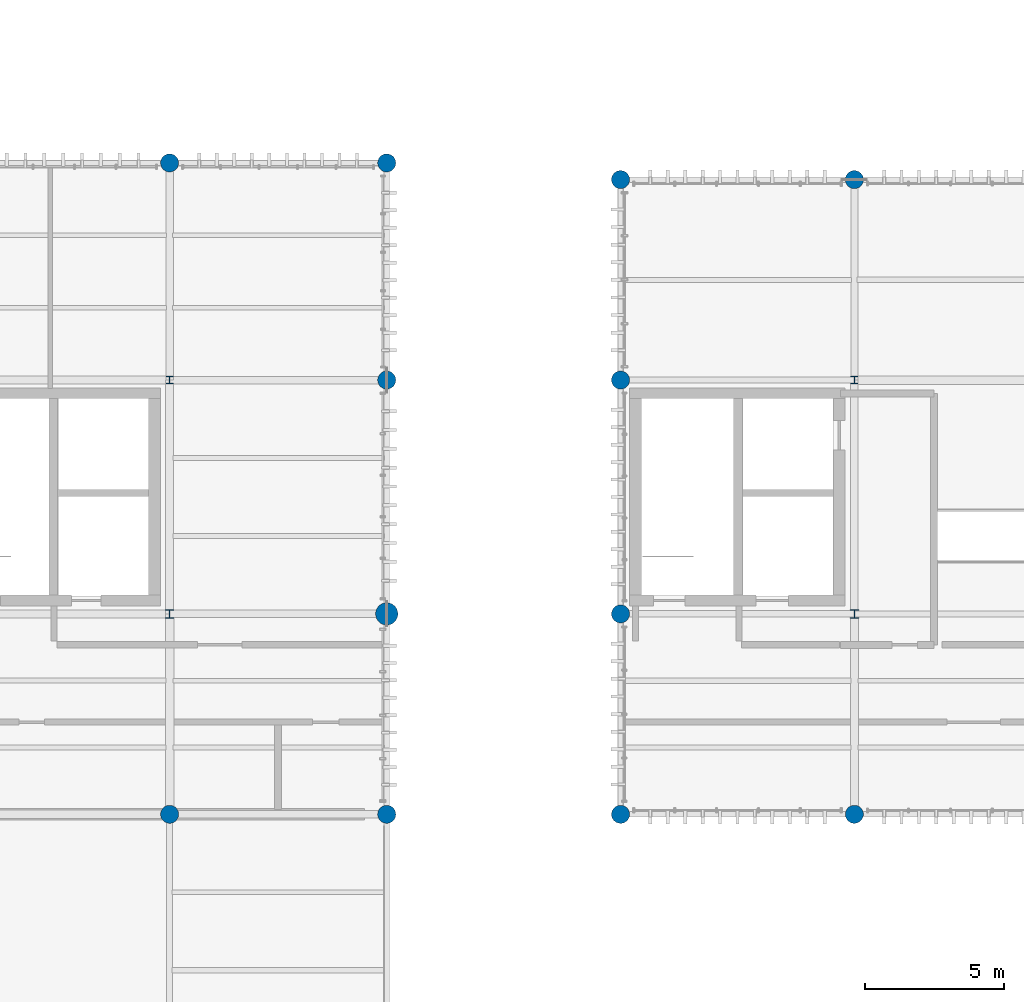
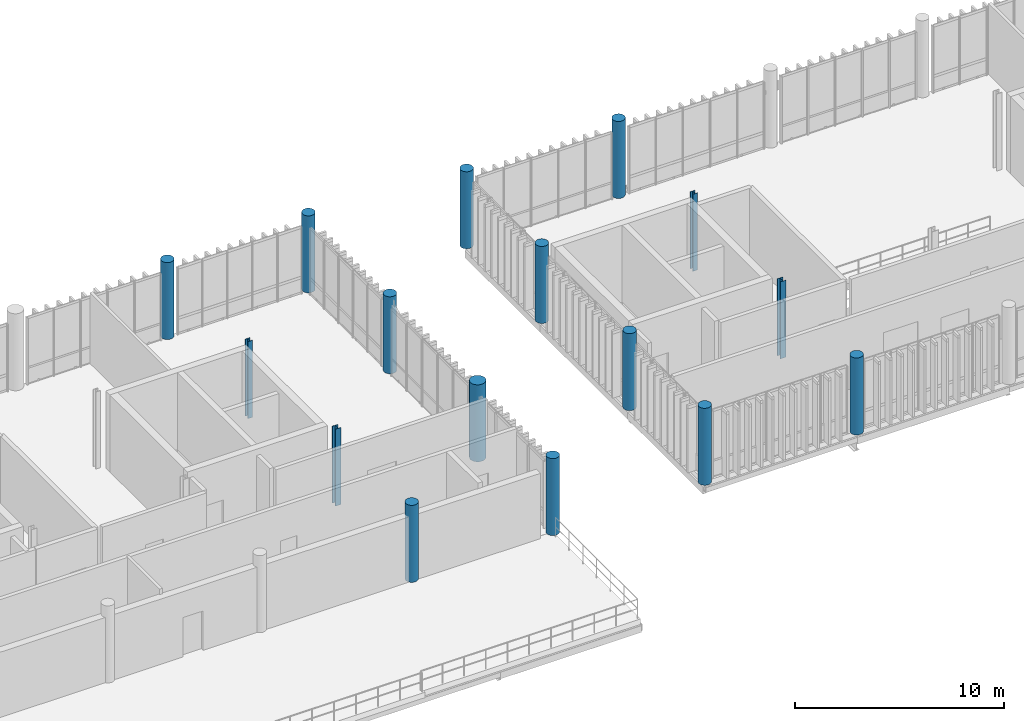
# One storey, part 2 of 66: 16 columns.
"""IFC4 building model written with IfcOpenShell, lengths in metres."""

from ifc_helpers import new_model, si_unit, direction, frame, origin_with_axes, origin_2d_with_axis, place, context, subcontext, project, spatial, circle, i_section, extrude, material, material_profile, profile_set, type_object, element, save


model = new_model("IFC4")

# Units and contexts
model_context = context("Model", 3, precision=1e-05, world=origin_with_axes(), true_north=direction((0.0, 1.0)))
body_context = subcontext(model_context, "Body", "Model", "MODEL_VIEW")
ifc_project = project(units=[si_unit("LENGTHUNIT", "METRE"), si_unit("AREAUNIT", "SQUARE_METRE"), si_unit("VOLUMEUNIT", "CUBIC_METRE"), si_unit("PLANEANGLEUNIT", "RADIAN"), si_unit("MASSUNIT", "GRAM", prefix="KILO"), si_unit("THERMODYNAMICTEMPERATUREUNIT", "KELVIN")], contexts=[model_context])

# Site, building, storey
site_placement = place(None, origin_with_axes())
site = spatial("IfcSite", under=ifc_project, at=site_placement, CompositionType="ELEMENT")
building_placement = place(site_placement, origin_with_axes())
building = spatial("IfcBuilding", under=site, at=building_placement, Name="Montbau Bow Law Courts", CompositionType="ELEMENT")
storey_placement = place(building_placement, frame((0.0, 0.0, 34.5), z_axis=(0.0, 0.0, 1.0), x_axis=(1.0, 0.0, 0.0)))
storey = spatial("IfcBuildingStorey", under=building, at=storey_placement, Name="L07", CompositionType="ELEMENT", Elevation=34.5)

# Columns
ifc_material_1 = material(Name="Concrete CSA A23.1 f'c 40 MPa", Category="concrete")
ifc_material_profile_1 = material_profile(ifc_material_1, circle(Radius=0.4, at=origin_2d_with_axis()), Name="RC800D", Category="Main", Priority=0)
ifc_profile_set_1 = profile_set([ifc_material_profile_1], Name="Concrete CSA A23.1 f'c 40 MPa")
column_type_1 = type_object("IfcColumnType", Name="C-RC-07", PredefinedType="COLUMN", material=ifc_profile_set_1)
column_placement = place(None, frame((46.8, 46.2, 34.5), z_axis=(0.0, 0.0, 1.0), x_axis=(1.0, 0.0, 0.0)))
element("IfcColumn", 1, at=column_placement, inside=storey, type_object=column_type_1, Name="C-L07-S1018:col2_1018", PredefinedType="COLUMN", context=body_context, shape_type="SweptSolid", body=[
    extrude(circle(Radius=0.4, at=origin_2d_with_axis()), origin_with_axes(), (0.0, 0.0, 1.0), 4.5),
])
ifc_material_profile_2 = material_profile(ifc_material_1, circle(Radius=0.325, at=origin_2d_with_axis()), Name="RC650D", Category="Main", Priority=0)
ifc_profile_set_2 = profile_set([ifc_material_profile_2], Name="Concrete CSA A23.1 f'c 40 MPa")
column_type_2 = type_object("IfcColumnType", Name="C-RC-08", PredefinedType="COLUMN", material=ifc_profile_set_2)
for number, where, z_axis, x_axis, name in (
    (2, (39.0, 39.0, 34.5), (0.0, 0.0, 1.0), (1.0, 0.0, 0.0), "C-L07-S1013:col2_1013"),
    (3, (39.0, 62.4, 34.5), (0.0, 0.0, 1.0), (1.0, 0.0, 0.0), "C-L07-S1016:col2_1016"),
    (4, (46.8, 39.0, 34.5), (0.0, 0.0, 1.0), (1.0, 0.0, 0.0), "C-L07-S1017:col2_1017"),
    (5, (46.8, 54.6, 34.5), (0.0, 0.0, 1.0), (1.0, 0.0, 0.0), "C-L07-S1019:col2_1019"),
    (6, (46.8, 62.4, 34.5), (0.0, 0.0, 1.0), (1.0, 0.0, 0.0), "C-L07-S1020:col2_1020"),
    (7, (55.2, 39.0, 34.5), (0.0, 0.0, 1.0), (1.0, 0.0, 0.0), "C-L07-S1021:col2_1021"),
    (8, (55.2, 46.2, 34.5), (0.0, 0.0, 1.0), (1.0, 0.0, 0.0), "C-L07-S1022:col2_1022"),
    (9, (55.2, 54.6, 34.5), (0.0, 0.0, 1.0), (1.0, 0.0, 0.0), "C-L07-S1023:col2_1023"),
    (10, (55.2, 61.8, 34.5), (0.0, 0.0, 1.0), (1.0, 0.0, 0.0), "C-L07-S1024:col2_1024"),
    (11, (63.6, 39.0, 34.5), (0.0, 0.0, 1.0), (1.0, 0.0, 0.0), "C-L07-S1025:col2_1025"),
    (12, (63.6, 61.8, 34.5), (0.0, 0.0, 1.0), (1.0, 0.0, 0.0), "C-L07-S1028:col2_1028"),
):
    element("IfcColumn", number, at=place(None, frame(where, z_axis=z_axis, x_axis=x_axis)), inside=storey, type_object=column_type_2, Name=name, PredefinedType="COLUMN", context=body_context, shape_type="SweptSolid", body=[
        extrude(circle(Radius=0.325, at=origin_2d_with_axis()), origin_with_axes(), (0.0, 0.0, 1.0), 4.5),
    ])
ifc_material_2 = material(Name="Steel CSA G40.21 Grade 350W (350 MPa)", Category="steel")
ifc_material_profile_3 = material_profile(ifc_material_2, i_section(OverallWidth=0.305, OverallDepth=0.308, WebThickness=0.0099, FlangeThickness=0.0154, at=origin_2d_with_axis()), Name="W310X97", Category="Main", Priority=0)
ifc_profile_set_3 = profile_set([ifc_material_profile_3], Name="Steel CSA G40.21 Grade 350W (350 MPa)")
column_type_3 = type_object("IfcColumnType", Name="C-STL-07", PredefinedType="COLUMN", material=ifc_profile_set_3)
for number, where, z_axis, x_axis, name in (
    (13, (39.0, 46.2, 34.5), (0.0, 0.0, 1.0), (1.0, 0.0, 0.0), "C-L07-S1014:col2_1014"),
    (14, (63.6, 46.2, 34.5), (0.0, 0.0, 1.0), (1.0, 0.0, 0.0), "C-L07-S1026:col2_1026"),
):
    element("IfcColumn", number, at=place(None, frame(where, z_axis=z_axis, x_axis=x_axis)), inside=storey, type_object=column_type_3, Name=name, PredefinedType="COLUMN", context=body_context, shape_type="SweptSolid", body=[
        extrude(i_section(OverallWidth=0.305, OverallDepth=0.308, WebThickness=0.0099, FlangeThickness=0.0154, at=origin_2d_with_axis()), origin_with_axes(), (0.0, 0.0, 1.0), 4.5),
    ])
ifc_material_profile_4 = material_profile(ifc_material_2, i_section(OverallWidth=0.256, OverallDepth=0.26, WebThickness=0.0107, FlangeThickness=0.0173, at=origin_2d_with_axis()), Name="W250X89", Category="Main", Priority=0)
ifc_profile_set_4 = profile_set([ifc_material_profile_4], Name="Steel CSA G40.21 Grade 350W (350 MPa)")
column_type_4 = type_object("IfcColumnType", Name="C-STL-08", PredefinedType="COLUMN", material=ifc_profile_set_4)
for number, where, z_axis, x_axis, name in (
    (15, (39.0, 54.6, 34.5), (0.0, 0.0, 1.0), (1.0, 0.0, 0.0), "C-L07-S1015:col2_1015"),
    (16, (63.6, 54.6, 34.5), (0.0, 0.0, 1.0), (1.0, 0.0, 0.0), "C-L07-S1027:col2_1027"),
):
    element("IfcColumn", number, at=place(None, frame(where, z_axis=z_axis, x_axis=x_axis)), inside=storey, type_object=column_type_4, Name=name, PredefinedType="COLUMN", context=body_context, shape_type="SweptSolid", body=[
        extrude(i_section(OverallWidth=0.256, OverallDepth=0.26, WebThickness=0.0107, FlangeThickness=0.0173, at=origin_2d_with_axis()), origin_with_axes(), (0.0, 0.0, 1.0), 4.5),
    ])

save(model, "model.ifc")
